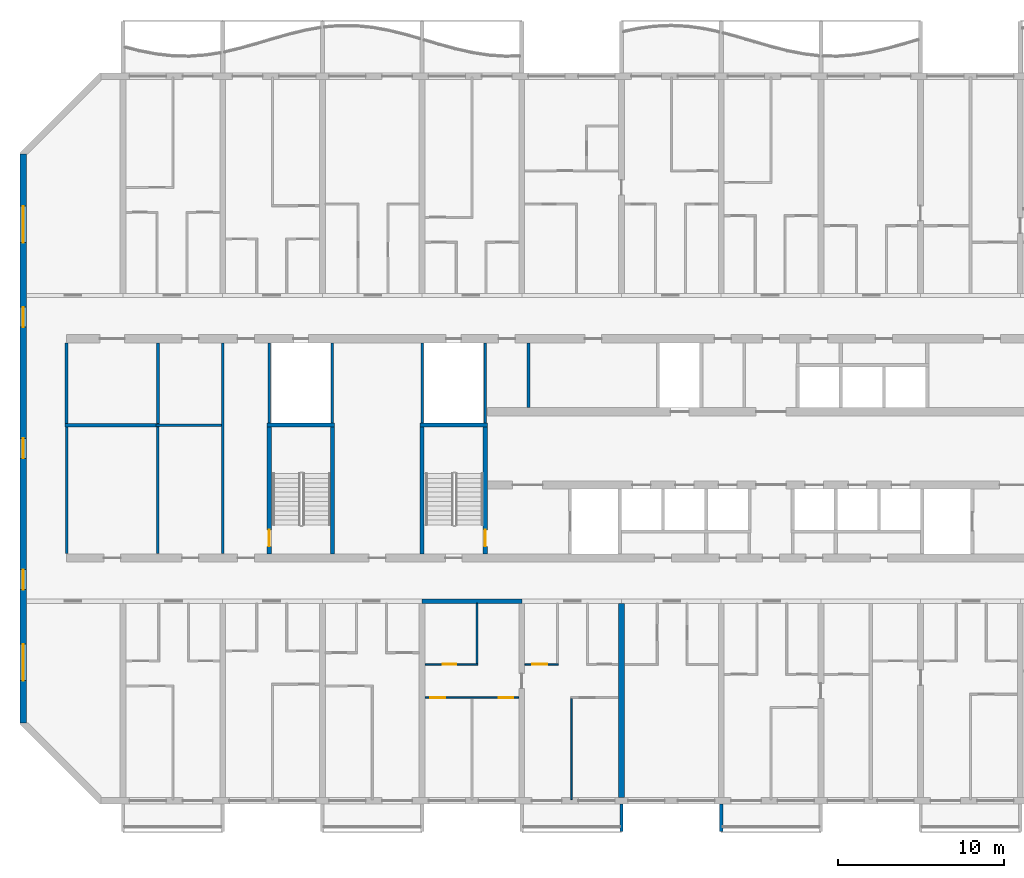
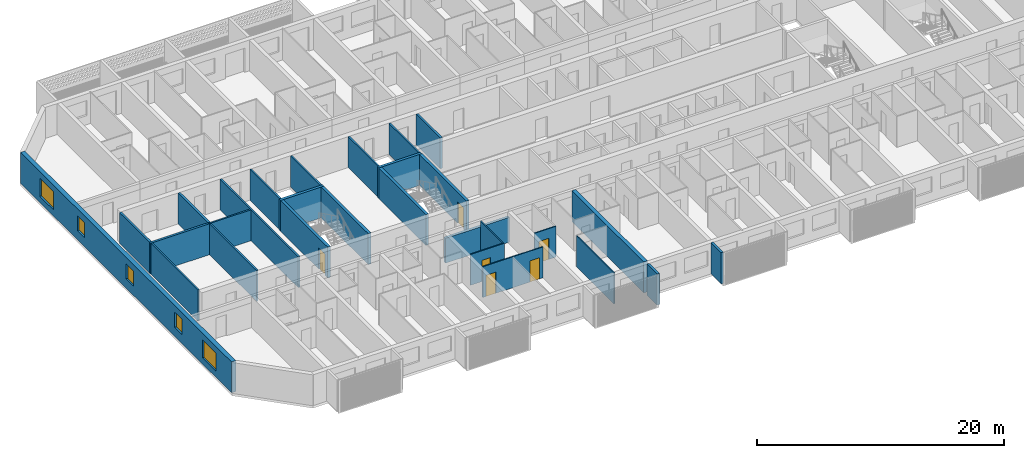
# One storey, part 3 of 26: 28 walls, 6 doors, 5 windows, 11 openings.
"""IFC4 building model written with IfcOpenShell, lengths in metres."""

from ifc_helpers import new_model, si_unit, direction, frame, frame_2d, origin, place, context, subcontext, project, spatial, polyline, rectangle, outline, extrude, source, transform, mapped, material, layer, layer_set, type_object, element, fill, save


model = new_model("IFC4")

# Units and contexts
model_context = context("Model", 3, precision=1e-05, world=origin(), true_north=direction((0.0, 1.0)))
body_context = subcontext(model_context, "Body", "Model", "MODEL_VIEW")
ifc_project = project(units=[si_unit("LENGTHUNIT", "METRE"), si_unit("AREAUNIT", "SQUARE_METRE"), si_unit("VOLUMEUNIT", "CUBIC_METRE"), si_unit("PLANEANGLEUNIT", "RADIAN"), si_unit("MASSUNIT", "GRAM", prefix="KILO")], contexts=[model_context])

# Site, building, storey
site_placement = place(None, origin())
site = spatial("IfcSite", under=ifc_project, at=site_placement, CompositionType="ELEMENT")
building_placement = place(site_placement, origin())
building = spatial("IfcBuilding", under=site, at=building_placement, Name="Poui Terraces", CompositionType="ELEMENT")
storey_placement = place(building_placement, frame((0.0, 0.0, 79.5)))
storey = spatial("IfcBuildingStorey", under=building, at=storey_placement, Name="L21", CompositionType="ELEMENT", Elevation=79.5)

# Walls
ifc_material_1 = material(Name="Fire-rated plasterboard wall")
ifc_layer_1 = layer(ifc_material_1, 0.14990234375)
ifc_layer_set_1 = layer_set([ifc_layer_1], Name="Fire-rated plasterboard wall")
wall_type_1 = type_object("IfcWallType", Name="CORRIDOR WALL 150", PredefinedType="PARTITIONING", material=ifc_layer_set_1)
wall_1_placement = place(storey_placement, frame((8.60009765625, 14.860107421875, 0.0), z_axis=(0.0, 0.0, 1.0), x_axis=(0.0, 1.0, 0.0)))
element("IfcWall", 1, at=wall_1_placement, inside=storey, type_object=wall_type_1, Name="CORRIDOR WALL 150", PredefinedType="PARTITIONING", context=body_context, shape_type="SweptSolid", body=[
    extrude(rectangle(XDim=7.639892578125, YDim=0.14990234375, at=frame_2d((3.81982421875, 0.0))), origin(), (0.0, 0.0, 1.0), 3.06005859375),
])
wall_2_placement = place(storey_placement, frame((18.0, 14.860107421875, 0.0), z_axis=(0.0, 0.0, 1.0), x_axis=(0.0, 1.0, 0.0)))
element("IfcWall", 2, at=wall_2_placement, inside=storey, type_object=wall_type_1, Name="CORRIDOR WALL 150", PredefinedType="PARTITIONING", context=body_context, shape_type="SweptSolid", body=[
    extrude(rectangle(XDim=12.679931640625, YDim=0.14990234375, at=frame_2d((6.33984375, 0.0))), origin(), (0.0, 0.0, 1.0), 3.06005859375),
])
ifc_material_2 = material(Name="Concrete 65 MPa", Category="concrete")
ifc_layer_2 = layer(ifc_material_2, 0.25)
ifc_layer_set_2 = layer_set([ifc_layer_2], Name="Concrete 65 MPa")
wall_type_2 = type_object("IfcWallType", Name="CORRIDOR WALL 250 65MPa", PredefinedType="SHEAR", material=ifc_layer_set_2)
wall_3_placement = place(storey_placement, frame((30.0, 12.0, 0.0), z_axis=(0.0, 0.0, 1.0), x_axis=(1.0, 0.0, 0.0)))
element("IfcWall", 3, at=wall_3_placement, inside=storey, type_object=wall_type_2, Name="CORRIDOR WALL LINE B BAY 5", PredefinedType="SHEAR", context=body_context, shape_type="SweptSolid", body=[
    extrude(rectangle(XDim=6.0, YDim=0.25, at=frame_2d((3.0, 0.0))), origin(), (0.0, 0.0, 1.0), 2.4599609375),
])
ifc_layer_3 = layer(ifc_material_2, 0.35009765625)
ifc_layer_set_3 = layer_set([ifc_layer_3], Name="Concrete 65 MPa")
wall_type_3 = type_object("IfcWallType", Name="CROSS WALL 350 65MPa", PredefinedType="SHEAR", material=ifc_layer_set_3)
wall_4_placement = place(storey_placement, frame((42.0, 0.199951171875, 0.0), z_axis=(0.0, 0.0, 1.0), x_axis=(0.0, 1.0, 0.0)))
element("IfcWall", 4, at=wall_4_placement, inside=storey, type_object=wall_type_3, Name="CROSS WALL LINE 8 SOUTH", PredefinedType="SHEAR", context=body_context, shape_type="SweptSolid", body=[
    extrude(rectangle(XDim=11.675048828125, YDim=0.35009765625, at=frame_2d((5.83740234375, 0.0))), origin(), (0.0, 0.0, 1.0), 3.06005859375),
])

# Wall, openings, windows
ifc_layer_4 = layer(ifc_material_2, 0.39990234375)
ifc_layer_set_4 = layer_set([ifc_layer_4], Name="Concrete 65 MPa")
wall_type_4 = type_object("IfcWallType", Name="END WALL 400 65MPa", PredefinedType="SHEAR", material=ifc_layer_set_4)
wall_5_placement = place(storey_placement, frame((6.0, 4.682861328125, 0.0), z_axis=(0.0, 0.0, 1.0), x_axis=(0.0, 1.0, 0.0)))
wall_5 = element("IfcWall", 5, at=wall_5_placement, inside=storey, type_object=wall_type_4, Name="END WALL WEST", PredefinedType="SHEAR", context=body_context, shape_type="SweptSolid", body=[
    extrude(rectangle(XDim=34.234375, YDim=0.39990234375, at=frame_2d((17.1171875, 0.0))), origin(), (0.0, 0.0, 1.0), 3.06005859375),
])
opening_1_placement = place(wall_5_placement, frame((23.817138671875, 0.0, 0.89990234375)))
opening_1 = element("IfcOpeningElement", 6, at=opening_1_placement, cuts=wall_5, Name="Opening W2", PredefinedType="OPENING", context=body_context, shape_type="SweptSolid", body=[
    extrude(rectangle(XDim=1.199951171875, YDim=1.5, at=frame_2d((0.60009765625, 0.75))), frame((0.0, 0.2099609375, 0.0), z_axis=(0.0, -1.0, 0.0), x_axis=(1.0, 0.0, 0.0)), (0.0, 0.0, 1.0), 0.419921875),
])
opening_2_placement = place(wall_5_placement, frame((8.01708984375, 0.0, 0.89990234375)))
opening_2 = element("IfcOpeningElement", 7, at=opening_2_placement, cuts=wall_5, Name="Opening W2", PredefinedType="OPENING", context=body_context, shape_type="SweptSolid", body=[
    extrude(rectangle(XDim=1.199951171875, YDim=1.5, at=frame_2d((0.60009765625, 0.75))), frame((0.0, 0.2099609375, 0.0), z_axis=(0.0, -1.0, 0.0), x_axis=(1.0, 0.0, 0.0)), (0.0, 0.0, 1.0), 0.419921875),
])
opening_3_placement = place(wall_5_placement, frame((15.917236328125, 0.0, 0.89990234375)))
opening_3 = element("IfcOpeningElement", 8, at=opening_3_placement, cuts=wall_5, Name="Opening W2", PredefinedType="OPENING", context=body_context, shape_type="SweptSolid", body=[
    extrude(rectangle(XDim=1.199951171875, YDim=1.5, at=frame_2d((0.60009765625, 0.75))), frame((0.0, 0.2099609375, 0.0), z_axis=(0.0, -1.0, 0.0), x_axis=(1.0, 0.0, 0.0)), (0.0, 0.0, 1.0), 0.419921875),
])
opening_4_placement = place(wall_5_placement, frame((28.8935546875, 0.0, 0.60009765625)))
opening_4 = element("IfcOpeningElement", 9, at=opening_4_placement, cuts=wall_5, Name="Opening W3", PredefinedType="OPENING", context=body_context, shape_type="SweptSolid", body=[
    extrude(rectangle(XDim=2.199951171875, YDim=1.800048828125, at=frame_2d((1.10009765625, 0.89990234375))), frame((0.0, 0.2099609375, 0.0), z_axis=(0.0, -1.0, 0.0), x_axis=(1.0, 0.0, 0.0)), (0.0, 0.0, 1.0), 0.419921875),
])
opening_5_placement = place(wall_5_placement, frame((2.541015625, 0.0, 0.60009765625)))
opening_5 = element("IfcOpeningElement", 10, at=opening_5_placement, cuts=wall_5, Name="Opening W3", PredefinedType="OPENING", context=body_context, shape_type="SweptSolid", body=[
    extrude(rectangle(XDim=2.199951171875, YDim=1.800048828125, at=frame_2d((1.10009765625, 0.89990234375))), frame((0.0, 0.2099609375, 0.0), z_axis=(0.0, -1.0, 0.0), x_axis=(1.0, 0.0, 0.0)), (0.0, 0.0, 1.0), 0.419921875),
])
ifc_material_3 = material(Name="Clear glass in aluminium frame", Category="aluminium")
window_type_1 = type_object("IfcWindowType", Name="WINDOW 1200X1500", PartitioningType="SINGLE_PANEL", PredefinedType="WINDOW", material=ifc_material_3)
window_1_placement = place(opening_1_placement, origin())
window_1 = element("IfcWindow", 11, at=window_1_placement, inside=storey, type_object=window_type_1, Name="W2 WINDOW", OverallHeight=1.5, OverallWidth=1.199951171875, PartitioningType="SINGLE_PANEL", PredefinedType="WINDOW", context=body_context, shape_type="SweptSolid", body=[
    extrude(rectangle(XDim=1.199951171875, YDim=1.5, at=frame_2d((0.60009765625, 0.75))), frame((0.0, 0.030029296875, 0.0), z_axis=(0.0, -1.0, 0.0), x_axis=(1.0, 0.0, 0.0)), (0.0, 0.0, 1.0), 0.06005859375),
])
fill(opening_1, window_1)
window_2_placement = place(opening_2_placement, origin())
window_2 = element("IfcWindow", 12, at=window_2_placement, inside=storey, type_object=window_type_1, Name="W2 WINDOW", OverallHeight=1.5, OverallWidth=1.199951171875, PartitioningType="SINGLE_PANEL", PredefinedType="WINDOW", context=body_context, shape_type="SweptSolid", body=[
    extrude(rectangle(XDim=1.199951171875, YDim=1.5, at=frame_2d((0.60009765625, 0.75))), frame((0.0, 0.030029296875, 0.0), z_axis=(0.0, -1.0, 0.0), x_axis=(1.0, 0.0, 0.0)), (0.0, 0.0, 1.0), 0.06005859375),
])
fill(opening_2, window_2)
window_3_placement = place(opening_3_placement, origin())
window_3 = element("IfcWindow", 13, at=window_3_placement, inside=storey, type_object=window_type_1, Name="W2 WINDOW", OverallHeight=1.5, OverallWidth=1.199951171875, PartitioningType="SINGLE_PANEL", PredefinedType="WINDOW", context=body_context, shape_type="SweptSolid", body=[
    extrude(rectangle(XDim=1.199951171875, YDim=1.5, at=frame_2d((0.60009765625, 0.75))), frame((0.0, 0.030029296875, 0.0), z_axis=(0.0, -1.0, 0.0), x_axis=(1.0, 0.0, 0.0)), (0.0, 0.0, 1.0), 0.06005859375),
])
fill(opening_3, window_3)
window_type_2 = type_object("IfcWindowType", Name="WINDOW 2200X1800", PartitioningType="DOUBLE_PANEL_HORIZONTAL", PredefinedType="WINDOW", material=ifc_material_3)
window_4_placement = place(opening_4_placement, origin())
window_4 = element("IfcWindow", 14, at=window_4_placement, inside=storey, type_object=window_type_2, Name="W3 WINDOW", OverallHeight=1.800048828125, OverallWidth=2.199951171875, PartitioningType="DOUBLE_PANEL_HORIZONTAL", PredefinedType="WINDOW", context=body_context, shape_type="SweptSolid", body=[
    extrude(rectangle(XDim=2.199951171875, YDim=1.800048828125, at=frame_2d((1.10009765625, 0.89990234375))), frame((0.0, 0.030029296875, 0.0), z_axis=(0.0, -1.0, 0.0), x_axis=(1.0, 0.0, 0.0)), (0.0, 0.0, 1.0), 0.06005859375),
])
fill(opening_4, window_4)
window_5_placement = place(opening_5_placement, origin())
window_5 = element("IfcWindow", 15, at=window_5_placement, inside=storey, type_object=window_type_2, Name="W3 WINDOW", OverallHeight=1.800048828125, OverallWidth=2.199951171875, PartitioningType="DOUBLE_PANEL_HORIZONTAL", PredefinedType="WINDOW", context=body_context, shape_type="SweptSolid", body=[
    extrude(rectangle(XDim=2.199951171875, YDim=1.800048828125, at=frame_2d((1.10009765625, 0.89990234375))), frame((0.0, 0.030029296875, 0.0), z_axis=(0.0, -1.0, 0.0), x_axis=(1.0, 0.0, 0.0)), (0.0, 0.0, 1.0), 0.06005859375),
])
fill(opening_5, window_5)

# Wall, openings, doors
ifc_material_4 = material(Name="Plasterboard partition")
ifc_layer_5 = layer(ifc_material_4, 0.10009765625)
ifc_layer_set_5 = layer_set([ifc_layer_5], Name="Plasterboard partition")
wall_type_5 = type_object("IfcWallType", Name="FLAT PARTITION 100", PredefinedType="PARTITIONING", material=ifc_layer_set_5)
wall_6_placement = place(storey_placement, frame((30.18505859375, 6.199951171875, 0.0), z_axis=(0.0, 0.0, 1.0), x_axis=(1.0, 0.0, 0.0)))
wall_6 = element("IfcWall", 16, at=wall_6_placement, inside=storey, type_object=wall_type_5, Name="FLAT PARTITION 100", PredefinedType="PARTITIONING", context=body_context, shape_type="SweptSolid", body=[
    extrude(rectangle(XDim=5.6298828125, YDim=0.10009765625, at=frame_2d((2.81494140625, 0.0))), origin(), (0.0, 0.0, 1.0), 3.06005859375),
])
opening_6_placement = place(wall_6_placement, frame((0.31494140625, 0.0, 0.0)))
opening_6 = element("IfcOpeningElement", 17, at=opening_6_placement, cuts=wall_6, Name="Opening D90", PredefinedType="OPENING", context=body_context, shape_type="SweptSolid", body=[
    extrude(rectangle(XDim=0.89990234375, YDim=2.10009765625, at=frame_2d((0.449951171875, 1.050048828125))), frame((0.0, 0.06005859375, 0.0), z_axis=(0.0, -1.0, 0.0), x_axis=(1.0, 0.0, 0.0)), (0.0, 0.0, 1.0), 0.1201171875),
])
opening_7_placement = place(wall_6_placement, frame((4.4150390625, 0.0, 0.0)))
opening_7 = element("IfcOpeningElement", 18, at=opening_7_placement, cuts=wall_6, Name="Opening D90", PredefinedType="OPENING", context=body_context, shape_type="SweptSolid", body=[
    extrude(rectangle(XDim=0.89990234375, YDim=2.10009765625, at=frame_2d((0.449951171875, 1.050048828125))), frame((0.0, 0.06005859375, 0.0), z_axis=(0.0, -1.0, 0.0), x_axis=(1.0, 0.0, 0.0)), (0.0, 0.0, 1.0), 0.1201171875),
])
ifc_material_5 = material(Name="Solid core timber door", Category="wood")
door_type_1 = type_object("IfcDoorType", Name="INTERNAL DOOR 900 X 2100", OperationType="NOTDEFINED", PredefinedType="DOOR", material=ifc_material_5)
door_1_placement = place(opening_6_placement, frame((0.89990234375, 0.0, 0.0), z_axis=(0.0, 0.0, 1.0), x_axis=(-1.0, 0.0, 0.0)))
door_1 = element("IfcDoor", 19, at=door_1_placement, inside=storey, type_object=door_type_1, Name="INTERNAL DOOR 096", OperationType="SINGLE_SWING_RIGHT", OverallHeight=2.10009765625, OverallWidth=0.89990234375, PredefinedType="DOOR", context=body_context, shape_type="SweptSolid", body=[
    extrude(rectangle(XDim=0.89990234375, YDim=2.10009765625, at=frame_2d((0.449951171875, 1.050048828125))), frame((0.0, 0.02490234375, 0.0), z_axis=(0.0, -1.0, 0.0), x_axis=(1.0, 0.0, 0.0)), (0.0, 0.0, 1.0), 0.050048828125),
])
fill(opening_6, door_1)
door_2_placement = place(opening_7_placement, frame((0.89990234375, 0.0, 0.0), z_axis=(0.0, 0.0, 1.0), x_axis=(-1.0, 0.0, 0.0)))
door_2 = element("IfcDoor", 20, at=door_2_placement, inside=storey, type_object=door_type_1, Name="INTERNAL DOOR 098", OperationType="SINGLE_SWING_LEFT", OverallHeight=2.10009765625, OverallWidth=0.89990234375, PredefinedType="DOOR", context=body_context, shape_type="SweptSolid", body=[
    extrude(rectangle(XDim=0.89990234375, YDim=2.10009765625, at=frame_2d((0.449951171875, 1.050048828125))), frame((0.0, 0.02490234375, 0.0), z_axis=(0.0, -1.0, 0.0), x_axis=(1.0, 0.0, 0.0)), (0.0, 0.0, 1.0), 0.050048828125),
])
fill(opening_7, door_2)

# Wall, opening, door
wall_7_placement = place(storey_placement, frame((30.18505859375, 8.199951171875, 0.0), z_axis=(0.0, 0.0, 1.0), x_axis=(1.0, 0.0, 0.0)))
wall_7 = element("IfcWall", 21, at=wall_7_placement, inside=storey, type_object=wall_type_5, Name="FLAT PARTITION 100", PredefinedType="PARTITIONING", context=body_context, shape_type="SweptSolid", body=[
    extrude(rectangle(XDim=3.1650390625, YDim=0.10009765625, at=frame_2d((1.58251953125, 0.0))), origin(), (0.0, 0.0, 1.0), 3.06005859375),
])
opening_8_placement = place(wall_7_placement, frame((1.06494140625, 0.0, 0.0)))
opening_8 = element("IfcOpeningElement", 22, at=opening_8_placement, cuts=wall_7, Name="Opening D80", PredefinedType="OPENING", context=body_context, shape_type="SweptSolid", body=[
    extrude(rectangle(XDim=0.800048828125, YDim=2.10009765625, at=frame_2d((0.39990234375, 1.050048828125))), frame((0.0, 0.06005859375, 0.0), z_axis=(0.0, -1.0, 0.0), x_axis=(1.0, 0.0, 0.0)), (0.0, 0.0, 1.0), 0.1201171875),
])
door_type_2 = type_object("IfcDoorType", Name="BATHROOM, LAUNDRY AND STORE DOOR 800 X 2100", OperationType="NOTDEFINED", PredefinedType="DOOR", material=ifc_material_5)
door_3_placement = place(opening_8_placement, frame((0.800048828125, 0.0, 0.0), z_axis=(0.0, 0.0, 1.0), x_axis=(-1.0, 0.0, 0.0)))
door_3 = element("IfcDoor", 23, at=door_3_placement, inside=storey, type_object=door_type_2, Name="BATHROOM, LAUNDRY AND STORE DOOR 097", OperationType="SINGLE_SWING_LEFT", OverallHeight=2.10009765625, OverallWidth=0.800048828125, PredefinedType="DOOR", context=body_context, shape_type="SweptSolid", body=[
    extrude(rectangle(XDim=0.800048828125, YDim=2.10009765625, at=frame_2d((0.39990234375, 1.050048828125))), frame((0.0, 0.02490234375, 0.0), z_axis=(0.0, -1.0, 0.0), x_axis=(1.0, 0.0, 0.0)), (0.0, 0.0, 1.0), 0.050048828125),
])
fill(opening_8, door_3)

wall_8_placement = place(storey_placement, frame((36.18505859375, 8.199951171875, 0.0), z_axis=(0.0, 0.0, 1.0), x_axis=(1.0, 0.0, 0.0)))
wall_8 = element("IfcWall", 24, at=wall_8_placement, inside=storey, type_object=wall_type_5, Name="FLAT PARTITION 100", PredefinedType="PARTITIONING", context=body_context, shape_type="SweptSolid", body=[
    extrude(rectangle(XDim=2.014892578125, YDim=0.10009765625, at=frame_2d((1.00732421875, 0.0))), origin(), (0.0, 0.0, 1.0), 3.06005859375),
])
opening_9_placement = place(wall_8_placement, frame((0.43994140625, 0.0, 0.0)))
opening_9 = element("IfcOpeningElement", 25, at=opening_9_placement, cuts=wall_8, Name="Opening D90", PredefinedType="OPENING", context=body_context, shape_type="SweptSolid", body=[
    extrude(rectangle(XDim=0.89990234375, YDim=2.10009765625, at=frame_2d((0.449951171875, 1.050048828125))), frame((0.0, 0.06005859375, 0.0), z_axis=(0.0, -1.0, 0.0), x_axis=(1.0, 0.0, 0.0)), (0.0, 0.0, 1.0), 0.1201171875),
])
door_4_placement = place(opening_9_placement, origin())
door_4 = element("IfcDoor", 26, at=door_4_placement, inside=storey, type_object=door_type_1, Name="INTERNAL DOOR 100", OperationType="SINGLE_SWING_RIGHT", OverallHeight=2.10009765625, OverallWidth=0.89990234375, PredefinedType="DOOR", context=body_context, shape_type="SweptSolid", body=[
    extrude(rectangle(XDim=0.89990234375, YDim=2.10009765625, at=frame_2d((0.449951171875, 1.050048828125))), frame((0.0, 0.02490234375, 0.0), z_axis=(0.0, -1.0, 0.0), x_axis=(1.0, 0.0, 0.0)), (0.0, 0.0, 1.0), 0.050048828125),
])
fill(opening_9, door_4)

# Walls
wall_9_placement = place(storey_placement, frame((33.300048828125, 8.25, 0.0), z_axis=(0.0, 0.0, 1.0), x_axis=(0.0, 1.0, 0.0)))
element("IfcWall", 27, at=wall_9_placement, inside=storey, type_object=wall_type_5, Name="FLAT PARTITION 100", PredefinedType="PARTITIONING", context=body_context, shape_type="SweptSolid", body=[
    extrude(rectangle(XDim=3.614990234375, YDim=0.10009765625, at=frame_2d((1.8076171875, 0.0))), origin(), (0.0, 0.0, 1.0), 3.06005859375),
])
wall_10_placement = place(storey_placement, frame((39.0, 0.06005859375, 0.0), z_axis=(0.0, 0.0, 1.0), x_axis=(0.0, 1.0, 0.0)))
element("IfcWall", 28, at=wall_10_placement, inside=storey, type_object=wall_type_5, Name="FLAT PARTITION 100", PredefinedType="PARTITIONING", context=body_context, shape_type="SweptSolid", body=[
    extrude(rectangle(XDim=6.08984375, YDim=0.10009765625, at=frame_2d((3.044921875, 0.0))), origin(), (0.0, 0.0, 1.0), 3.06005859375),
])
ifc_layer_6 = layer(ifc_material_4, 0.14990234375)
ifc_layer_set_6 = layer_set([ifc_layer_6], Name="Plasterboard partition")
wall_type_6 = type_object("IfcWallType", Name="PARTITION WALL 150", PredefinedType="PARTITIONING", material=ifc_layer_set_6)
wall_11_placement = place(storey_placement, frame((14.0, 22.60009765625, 0.0), z_axis=(0.0, 0.0, 1.0), x_axis=(1.0, 0.0, 0.0)))
element("IfcWall", 29, at=wall_11_placement, inside=storey, type_object=wall_type_6, Name="PARTITION WALL 150", PredefinedType="PARTITIONING", context=body_context, shape_type="SweptSolid", body=[
    extrude(rectangle(XDim=3.925048828125, YDim=0.14990234375, at=frame_2d((1.96240234375, 0.0))), origin(), (0.0, 0.0, 1.0), 3.06005859375),
])
wall_12_placement = place(storey_placement, frame((14.10009765625, 14.860107421875, 0.0), z_axis=(0.0, 0.0, 1.0), x_axis=(0.0, 1.0, 0.0)))
element("IfcWall", 30, at=wall_12_placement, inside=storey, type_object=wall_type_6, Name="PARTITION WALL 150", PredefinedType="PARTITIONING", context=body_context, shape_type="SweptSolid", body=[
    extrude(rectangle(XDim=7.639892578125, YDim=0.14990234375, at=frame_2d((3.81982421875, 0.0))), origin(), (0.0, 0.0, 1.0), 3.06005859375),
])
ifc_material_6 = material(Name="Fire-rated masonry wall", Category="masonry")
ifc_layer_7 = layer(ifc_material_6, 0.199951171875)
ifc_layer_set_7 = layer_set([ifc_layer_7], Name="Fire-rated masonry wall")
wall_type_7 = type_object("IfcWallType", Name="PLANT ROOM WALL 200", PredefinedType="PARTITIONING", material=ifc_layer_set_7)
wall_13_placement = place(storey_placement, frame((8.5, 22.60009765625, 0.0), z_axis=(0.0, 0.0, 1.0), x_axis=(1.0, 0.0, 0.0)))
element("IfcWall", 31, at=wall_13_placement, inside=storey, type_object=wall_type_7, Name="PLANT ROOM WALL 200", PredefinedType="PARTITIONING", context=body_context, shape_type="SweptSolid", body=[
    extrude(rectangle(XDim=5.699951171875, YDim=0.199951171875, at=frame_2d((2.85009765625, 0.0))), origin(), (0.0, 0.0, 1.0), 3.06005859375),
])
for number, where, z_axis, x_axis, name in (
    (32, (8.60009765625, 22.699951171875, 0.0), (0.0, 0.0, 1.0), (0.0, 1.0, 0.0), "PLANT ROOM WALL 200"),
    (33, (14.10009765625, 22.699951171875, 0.0), (0.0, 0.0, 1.0), (0.0, 1.0, 0.0), "PLANT ROOM WALL 200"),
):
    element("IfcWall", number, at=place(storey_placement, frame(where, z_axis=z_axis, x_axis=x_axis)), inside=storey, type_object=wall_type_7, Name=name, PredefinedType="PARTITIONING", context=body_context, shape_type="SweptSolid", body=[
        extrude(rectangle(XDim=4.840087890625, YDim=0.199951171875, at=frame_2d((2.419921875, 0.0))), origin(), (0.0, 0.0, 1.0), 3.06005859375),
    ])
wall_14_placement = place(storey_placement, frame((36.39990234375, 23.659912109375, 0.0), z_axis=(0.0, 0.0, 1.0), x_axis=(0.0, 1.0, 0.0)))
element("IfcWall", 34, at=wall_14_placement, inside=storey, type_object=wall_type_7, Name="PLANT ROOM WALL 200", PredefinedType="PARTITIONING", context=body_context, shape_type="SweptSolid", body=[
    extrude(rectangle(XDim=3.880126953125, YDim=0.199951171875, at=frame_2d((1.93994140625, 0.0))), origin(), (0.0, 0.0, 1.0), 3.06005859375),
])
ifc_material_7 = material(Name="Fire-rated plasterboard riser wall")
ifc_layer_8 = layer(ifc_material_7, 0.14990234375)
ifc_layer_set_8 = layer_set([ifc_layer_8], Name="Fire-rated plasterboard riser wall")
wall_type_8 = type_object("IfcWallType", Name="RISER WALL 150", PredefinedType="PARTITIONING", material=ifc_layer_set_8)
for number, where, z_axis, x_axis, name in (
    (35, (20.800048828125, 22.735107421875, 0.0), (0.0, 0.0, 1.0), (0.0, 1.0, 0.0), "RISER WALL 150"),
    (36, (24.60009765625, 22.735107421875, 0.0), (0.0, 0.0, 1.0), (0.0, 1.0, 0.0), "RISER WALL 150"),
    (37, (30.0, 22.735107421875, 0.0), (0.0, 0.0, 1.0), (0.0, 1.0, 0.0), "RISER WALL 150"),
    (38, (33.800048828125, 22.735107421875, 0.0), (0.0, 0.0, 1.0), (0.0, 1.0, 0.0), "RISER WALL 150"),
):
    element("IfcWall", number, at=place(storey_placement, frame(where, z_axis=z_axis, x_axis=x_axis)), inside=storey, type_object=wall_type_8, Name=name, PredefinedType="PARTITIONING", context=body_context, shape_type="SweptSolid", body=[
        extrude(rectangle(XDim=4.804931640625, YDim=0.14990234375, at=frame_2d((2.40234375, 0.0))), origin(), (0.0, 0.0, 1.0), 3.06005859375),
    ])
ifc_layer_9 = layer(ifc_material_2, 0.25)
ifc_layer_set_9 = layer_set([ifc_layer_9], Name="Concrete 65 MPa")
wall_type_9 = type_object("IfcWallType", Name="STAIR CORE WALL 250 65 MPA", PredefinedType="SOLIDWALL", material=ifc_layer_set_9)
wall_15_placement = place(storey_placement, frame((30.0, 14.85009765625, 0.0), z_axis=(0.0, 0.0, 1.0), x_axis=(0.0, 1.0, 0.0)))
element("IfcWall", 39, at=wall_15_placement, inside=storey, type_object=wall_type_9, Name="STAIR CORE WALL", PredefinedType="SOLIDWALL", context=body_context, shape_type="SweptSolid", body=[
    extrude(rectangle(XDim=7.625, YDim=0.25, at=frame_2d((3.8125, 0.0))), origin(), (0.0, 0.0, 1.0), 3.06005859375),
])

# Wall, opening, door
wall_16_placement = place(storey_placement, frame((33.800048828125, 14.85009765625, 0.0), z_axis=(0.0, 0.0, 1.0), x_axis=(0.0, 1.0, 0.0)))
wall_16 = element("IfcWall", 40, at=wall_16_placement, inside=storey, type_object=wall_type_9, Name="STAIR CORE WALL", PredefinedType="SOLIDWALL", context=body_context, shape_type="SweptSolid", body=[
    extrude(rectangle(XDim=7.625, YDim=0.25, at=frame_2d((3.8125, 0.0))), origin(), (0.0, 0.0, 1.0), 3.06005859375),
])
opening_10_placement = place(wall_16_placement, frame((0.449951171875, 0.0, 0.0)))
opening_10 = element("IfcOpeningElement", 41, at=opening_10_placement, cuts=wall_16, Name="Opening FD60S", PredefinedType="OPENING", context=body_context, shape_type="SweptSolid", body=[
    extrude(rectangle(XDim=1.0, YDim=2.10009765625, at=frame_2d((0.5, 1.050048828125))), frame((0.0, 0.135009765625, 0.0), z_axis=(0.0, -1.0, 0.0), x_axis=(1.0, 0.0, 0.0)), (0.0, 0.0, 1.0), 0.27001953125),
])
ifc_material_8 = material(Name="Steel fire door", Category="steel")
door_type_3 = type_object("IfcDoorType", Name="STAIR DOOR 1000 X 2100", OperationType="NOTDEFINED", PredefinedType="DOOR", material=ifc_material_8)
door_5_placement = place(opening_10_placement, origin())
door_5 = element("IfcDoor", 42, at=door_5_placement, inside=storey, type_object=door_type_3, Name="STAIR DOOR 137", OperationType="SINGLE_SWING_LEFT", OverallHeight=2.10009765625, OverallWidth=1.0, PredefinedType="DOOR", context=body_context, shape_type="SweptSolid", body=[
    extrude(rectangle(XDim=1.0, YDim=2.10009765625, at=frame_2d((0.5, 1.050048828125))), frame((0.0, 0.02490234375, 0.0), z_axis=(0.0, -1.0, 0.0), x_axis=(1.0, 0.0, 0.0)), (0.0, 0.0, 1.0), 0.050048828125),
])
fill(opening_10, door_5)

# Wall
wall_17_placement = place(storey_placement, frame((29.875, 22.60009765625, 0.0), z_axis=(0.0, 0.0, 1.0), x_axis=(1.0, 0.0, 0.0)))
element("IfcWall", 43, at=wall_17_placement, inside=storey, type_object=wall_type_9, Name="STAIR CORE WALL", PredefinedType="SOLIDWALL", context=body_context, shape_type="SweptSolid", body=[
    extrude(rectangle(XDim=4.050048828125, YDim=0.25, at=frame_2d((2.02490234375, 0.0))), origin(), (0.0, 0.0, 1.0), 3.06005859375),
])

# Wall, opening, door
wall_18_placement = place(storey_placement, frame((20.800048828125, 14.85009765625, 0.0), z_axis=(0.0, 0.0, 1.0), x_axis=(0.0, 1.0, 0.0)))
wall_18 = element("IfcWall", 44, at=wall_18_placement, inside=storey, type_object=wall_type_9, Name="STAIR CORE WALL", PredefinedType="SOLIDWALL", context=body_context, shape_type="SweptSolid", body=[
    extrude(rectangle(XDim=7.625, YDim=0.25, at=frame_2d((3.8125, 0.0))), origin(), (0.0, 0.0, 1.0), 3.06005859375),
])
opening_11_placement = place(wall_18_placement, frame((0.449951171875, 0.0, 0.0)))
opening_11 = element("IfcOpeningElement", 45, at=opening_11_placement, cuts=wall_18, Name="Opening FD60S", PredefinedType="OPENING", context=body_context, shape_type="SweptSolid", body=[
    extrude(rectangle(XDim=1.0, YDim=2.10009765625, at=frame_2d((0.5, 1.050048828125))), frame((0.0, 0.135009765625, 0.0), z_axis=(0.0, -1.0, 0.0), x_axis=(1.0, 0.0, 0.0)), (0.0, 0.0, 1.0), 0.27001953125),
])
door_6_placement = place(opening_11_placement, frame((1.0, 0.0, 0.0), z_axis=(0.0, 0.0, 1.0), x_axis=(-1.0, 0.0, 0.0)))
door_6 = element("IfcDoor", 46, at=door_6_placement, inside=storey, type_object=door_type_3, Name="STAIR DOOR 151", OperationType="SINGLE_SWING_RIGHT", OverallHeight=2.10009765625, OverallWidth=1.0, PredefinedType="DOOR", context=body_context, shape_type="SweptSolid", body=[
    extrude(rectangle(XDim=1.0, YDim=2.10009765625, at=frame_2d((0.5, 1.050048828125))), frame((0.0, 0.02490234375, 0.0), z_axis=(0.0, -1.0, 0.0), x_axis=(1.0, 0.0, 0.0)), (0.0, 0.0, 1.0), 0.050048828125),
])
fill(opening_11, door_6)

# Walls
wall_19_placement = place(storey_placement, frame((24.60009765625, 14.85009765625, 0.0), z_axis=(0.0, 0.0, 1.0), x_axis=(0.0, 1.0, 0.0)))
element("IfcWall", 47, at=wall_19_placement, inside=storey, type_object=wall_type_9, Name="STAIR CORE WALL", PredefinedType="SOLIDWALL", context=body_context, shape_type="SweptSolid", body=[
    extrude(rectangle(XDim=7.625, YDim=0.25, at=frame_2d((3.8125, 0.0))), origin(), (0.0, 0.0, 1.0), 3.06005859375),
])
wall_20_placement = place(storey_placement, frame((20.675048828125, 22.60009765625, 0.0), z_axis=(0.0, 0.0, 1.0), x_axis=(1.0, 0.0, 0.0)))
element("IfcWall", 48, at=wall_20_placement, inside=storey, type_object=wall_type_9, Name="STAIR CORE WALL", PredefinedType="SOLIDWALL", context=body_context, shape_type="SweptSolid", body=[
    extrude(rectangle(XDim=4.050048828125, YDim=0.25, at=frame_2d((2.02490234375, 0.0))), origin(), (0.0, 0.0, 1.0), 3.06005859375),
])
ifc_material_9 = material(Name="Precast concrete 40 MPa", Category="concrete")
ifc_layer_10 = layer(ifc_material_9, 0.199951171875)
ifc_layer_set_10 = layer_set([ifc_layer_10], Name="Precast concrete 40 MPa")
wall_type_10 = type_object("IfcWallType", Name="REAR FIN 200", PredefinedType="STANDARD", material=ifc_layer_set_10)
shared_shape = source(origin(), body_context, "Body", "SweptSolid", [
    extrude(outline(polyline([(0.0, 0.0), (0.2001953125, 0.0), (0.2001953125, 1.650146484375), (0.0, 1.650146484375), (0.0, 0.0)])), origin(), (0.0, 0.0, 1.0), 3.10009765625),
])
for number, where, name in (
    (49, (41.89990234375, -1.85009765625, 0.0), "REAR FIN"),
    (50, (47.89990234375, -1.85009765625, 0.0), "REAR FIN"),
):
    element("IfcWall", number, at=place(storey_placement, frame(where)), inside=storey, type_object=wall_type_10, Name=name, PredefinedType="STANDARD", context=body_context, shape_type="MappedRepresentation", body=[
        mapped(shared_shape, transform((0.0, 0.0, 0.0))),
    ])

save(model, "model.ifc")
